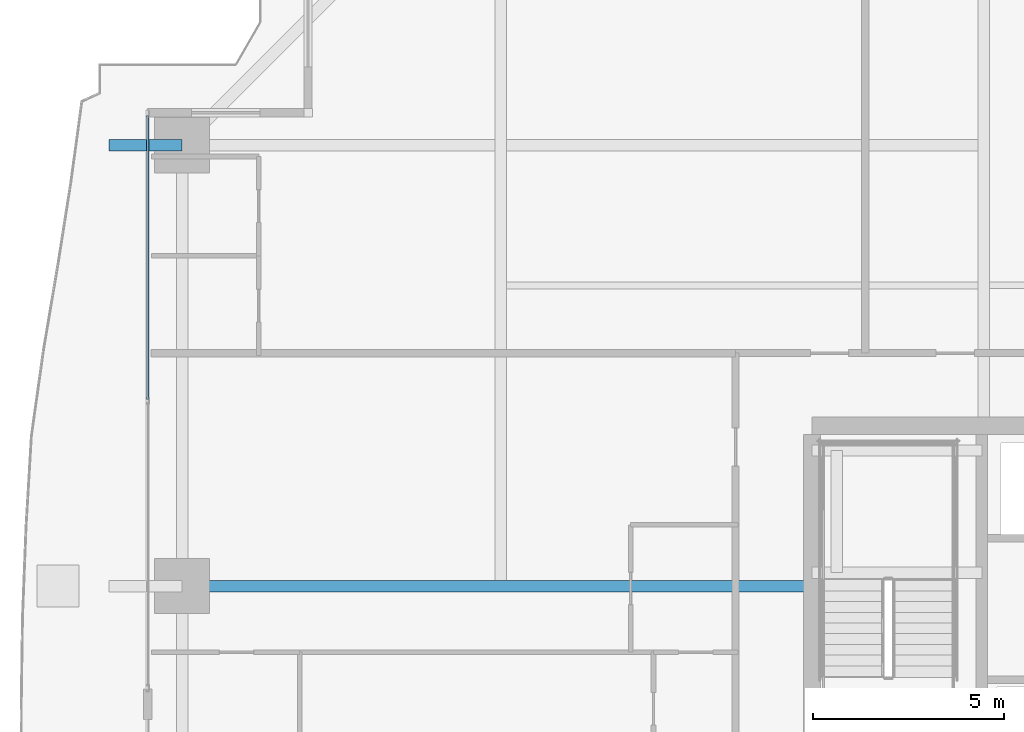
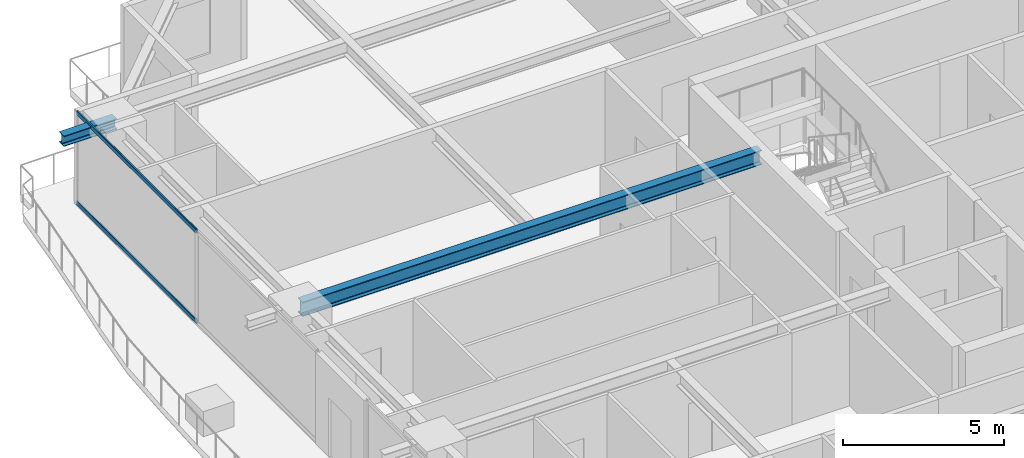
# One storey, part 17 of 40: 2 beams, 2 members, 1 element without a shape of its own.
"""IFC4 building model written with IfcOpenShell, lengths in metres."""

import ifcopenshell
import ifcopenshell.guid

model = None  # the IFC model being written
_history = None  # IfcOwnerHistory: only IFC2X3 demands one
_inside = {}  # id of a spatial element -> (the spatial element, [elements in it])
_under = {}  # id of a project, library or spatial element -> (it, [spatial elements below it])
_declared = {}  # id of a project -> (the project, [libraries it declares])
_typed = {}  # id of a type object -> (the type object, [elements of that type])
_made_of = {}  # id of a material, layer set ... -> (it, [elements and type objects made of it])


def new_model(schema):
    """Start an empty IFC model of exactly this schema.

    Asked for "IFC4X3", IfcOpenShell would pick the latest addendum, in which some entities
    have other attributes; the version numbers below select the first issue.
    IFC2X3 requires an IfcOwnerHistory on every rooted entity: one is made here for all.
    """
    global model, _history
    if schema == "IFC4X3":
        model = ifcopenshell.file(schema_version=(4, 3, 0, 0))
    else:
        model = ifcopenshell.file(schema=schema)
    _inside.clear()
    _under.clear()
    _declared.clear()
    _typed.clear()
    _made_of.clear()
    _history = None
    if model.schema == "IFC2X3":
        org = make("IfcOrganization", Name="unknown")
        user = make(
            "IfcPersonAndOrganization",
            ThePerson=make("IfcPerson", FamilyName="unknown"),
            TheOrganization=org,
        )
        app = make(
            "IfcApplication",
            ApplicationDeveloper=org,
            Version="unknown",
            ApplicationFullName="unknown",
            ApplicationIdentifier="unknown",
        )
        _history = make(
            "IfcOwnerHistory",
            OwningUser=user,
            OwningApplication=app,
            ChangeAction="ADDED",
            CreationDate=0,
        )
    return model


def make(cls, **values):
    """One entity of the class cls with the attributes given. An attribute that is None is left unset."""
    return model.create_entity(
        cls, **{name: value for name, value in values.items() if value is not None}
    )


def rooted(cls, **values):
    """An entity with a GlobalId (a new one), such as an element, a storey or a relation."""
    return make(cls, GlobalId=ifcopenshell.guid.new(), OwnerHistory=_history, **values)


def si_unit(unit_type, name, prefix=None):
    """IfcSIUnit, for example si_unit("LENGTHUNIT", "METRE", prefix="MILLI")."""
    return make("IfcSIUnit", UnitType=unit_type, Prefix=prefix, Name=name)


def assignment(units):
    """IfcUnitAssignment: the units of a project."""
    return None if units is None else make("IfcUnitAssignment", Units=units)


def point(xyz):
    """IfcCartesianPoint."""
    return None if xyz is None else make("IfcCartesianPoint", Coordinates=xyz)


def direction(xyz):
    """IfcDirection."""
    return None if xyz is None else make("IfcDirection", DirectionRatios=xyz)


def frame(location, z_axis=None, x_axis=None):
    """IfcAxis2Placement3D, a coordinate frame: its origin and axes. An axis left out is left unset."""
    return make(
        "IfcAxis2Placement3D",
        Location=point(location),
        Axis=direction(z_axis),
        RefDirection=direction(x_axis),
    )


def frame_2d(location, x_axis=None):
    """IfcAxis2Placement2D, a coordinate frame in the plane: its origin and x axis."""
    return make(
        "IfcAxis2Placement2D", Location=point(location), RefDirection=direction(x_axis)
    )


def origin():
    """The frame at (0, 0, 0) with its axes left unset."""
    return frame((0.0, 0.0, 0.0))


def origin_2d():
    """The frame at (0, 0) in the plane with its x axis left unset."""
    return frame_2d((0.0, 0.0))


def place(relative_to, where):
    """IfcLocalPlacement: puts the frame where relative to a parent placement (None: the world)."""
    return make(
        "IfcLocalPlacement", PlacementRelTo=relative_to, RelativePlacement=where
    )


def context(
    kind, dimensions, precision=None, world=None, true_north=None, identifier=None
):
    """IfcGeometricRepresentationContext, for example the 3D "Model" context."""
    return make(
        "IfcGeometricRepresentationContext",
        ContextIdentifier=identifier,
        ContextType=kind,
        CoordinateSpaceDimension=dimensions,
        Precision=precision,
        WorldCoordinateSystem=world,
        TrueNorth=true_north,
    )


def subcontext(parent, identifier, kind, view, scale=None):
    """IfcGeometricRepresentationSubContext, for example "Body" below "Model"."""
    return make(
        "IfcGeometricRepresentationSubContext",
        ContextIdentifier=identifier,
        ContextType=kind,
        ParentContext=parent,
        TargetScale=scale,
        TargetView=view,
    )


def project(units=None, contexts=None):
    """IfcProject with its units and contexts."""
    return rooted(
        "IfcProject",
        Name="project",
        RepresentationContexts=contexts,
        UnitsInContext=assignment(units),
    )


def spatial(cls, under=None, at=None, **own):
    """A site, building, storey or space (cls), placed at a placement, below another one or the project."""
    s = rooted(cls, ObjectPlacement=at, **own)
    if under is not None:
        _under.setdefault(under.id(), (under, []))[1].append(s)
    return s


def profile(cls, at=None, kind="AREA", **sizes):
    """A parametric profile (cls). Its sizes go by their IFC names, for example OverallWidth=200.0."""
    return make(cls, ProfileType=kind, Position=at, **sizes)


def hollow_rectangle(**sizes):
    """IfcRectangleHollowProfileDef."""
    return profile("IfcRectangleHollowProfileDef", **sizes)


def i_section(**sizes):
    """IfcIShapeProfileDef."""
    return profile("IfcIShapeProfileDef", **sizes)


def extrude(swept, where, along, depth):
    """IfcExtrudedAreaSolid: the profile swept, set in the frame where, extruded along a direction by depth."""
    return make(
        "IfcExtrudedAreaSolid",
        SweptArea=swept,
        Position=where,
        ExtrudedDirection=direction(along),
        Depth=depth,
    )


def shape(context_of_items, identifier, shape_type, items):
    """IfcShapeRepresentation: the items that make up one representation, for example the "Body"."""
    return make(
        "IfcShapeRepresentation",
        ContextOfItems=context_of_items,
        RepresentationIdentifier=identifier,
        RepresentationType=shape_type,
        Items=items,
    )


def source(mapping_origin, context_of_items, identifier, shape_type, items):
    """IfcRepresentationMap: a shape defined once, which mapped items show again and again."""
    return make(
        "IfcRepresentationMap",
        MappingOrigin=mapping_origin,
        MappedRepresentation=shape(context_of_items, identifier, shape_type, items),
    )


def transform(
    local_origin,
    x_axis=None,
    y_axis=None,
    z_axis=None,
    scale=None,
    scale2=None,
    scale3=None,
    uniform=True,
):
    """IfcCartesianTransformationOperator3D, or its non-uniform kind. x_axis, y_axis, z_axis: its Axis1, 2, 3."""
    if uniform:
        return make(
            "IfcCartesianTransformationOperator3D",
            Axis1=direction(x_axis),
            Axis2=direction(y_axis),
            LocalOrigin=point(local_origin),
            Scale=scale,
            Axis3=direction(z_axis),
        )
    return make(
        "IfcCartesianTransformationOperator3DnonUniform",
        Axis1=direction(x_axis),
        Axis2=direction(y_axis),
        LocalOrigin=point(local_origin),
        Scale=scale,
        Axis3=direction(z_axis),
        Scale2=scale2,
        Scale3=scale3,
    )


def mapped(mapping_source, mapping_target):
    """IfcMappedItem: shows the shape of a source again, moved by a transform."""
    return make(
        "IfcMappedItem", MappingSource=mapping_source, MappingTarget=mapping_target
    )


def material(Name=None, Category=None):
    """IfcMaterial."""
    return make("IfcMaterial", Name=Name, Category=Category)


def layer(
    of_material, thickness, ventilated=None, Name=None, Category=None, Priority=None
):
    """IfcMaterialLayer: one layer of a wall or slab, of a material (None: an air gap)."""
    return make(
        "IfcMaterialLayer",
        Material=of_material,
        LayerThickness=thickness,
        IsVentilated=ventilated,
        Name=Name,
        Category=Category,
        Priority=Priority,
    )


def layer_set(layers, Name=None):
    """IfcMaterialLayerSet."""
    return make("IfcMaterialLayerSet", MaterialLayers=layers, LayerSetName=Name)


def material_profile(
    of_material, cross_section, Name=None, Category=None, Priority=None
):
    """IfcMaterialProfile: a cross section and its material."""
    return make(
        "IfcMaterialProfile",
        Name=Name,
        Material=of_material,
        Profile=cross_section,
        Priority=Priority,
        Category=Category,
    )


def profile_set(profiles, Name=None, composite=None):
    """IfcMaterialProfileSet."""
    return make(
        "IfcMaterialProfileSet",
        Name=Name,
        MaterialProfiles=profiles,
        CompositeProfile=composite,
    )


def made_of(thing, what):
    """Note that an element or type object is made of a material, layer set ...; save() writes the relation."""
    if what is not None:
        _made_of.setdefault(what.id(), (what, []))[1].append(thing)
    return thing


def type_object(cls, material=None, **own):
    """A type object (cls), such as IfcWallType, which elements share."""
    return made_of(rooted(cls, **own), material)


def element(
    cls,
    number,
    at=None,
    inside=None,
    cuts=None,
    type_object=None,
    material=None,
    context=None,
    identifier="Body",
    shape_type=None,
    held_by="IfcProductDefinitionShape",
    body=None,
    shapes=None,
    **own,
):
    """One element of the class cls, such as IfcWall. Its Tag is "e" and its number.

    at: its placement. inside: the storey or other place that contains it. cuts: it is an
    opening in that element (IfcRelVoidsElement). A single representation is given by context,
    identifier, shape_type and body (its items); several are given by shapes. held_by: the class
    of the entity that holds the representations. save() writes the other relations.
    """
    e = rooted(cls, Tag="e%d" % number, ObjectPlacement=at, **own)
    if body is not None:
        shapes = [shape(context, identifier, shape_type, body)]
    if shapes is not None:
        e.Representation = make(held_by, Representations=shapes)
    if inside is not None:
        _inside.setdefault(inside.id(), (inside, []))[1].append(e)
    if cuts is not None:
        rooted(
            "IfcRelVoidsElement", RelatingBuildingElement=cuts, RelatedOpeningElement=e
        )
    if type_object is not None:
        _typed.setdefault(type_object.id(), (type_object, []))[1].append(e)
    return made_of(e, material)


def aggregate(whole, parts):
    """IfcRelAggregates: a whole, such as a stair, and the parts it consists of."""
    return rooted("IfcRelAggregates", RelatingObject=whole, RelatedObjects=parts)


def save(model, path):
    """Write the relations noted so far, then the file.

    IfcRelAggregates (storeys below a building ...), IfcRelContainedInSpatialStructure (elements
    in a storey), IfcRelDefinesByType, IfcRelAssociatesMaterial and IfcRelDeclares: one each for
    every whole, place, type object, material and project.
    """
    for whole, parts in _under.values():
        aggregate(whole, parts)
    for where, things in _inside.values():
        rooted(
            "IfcRelContainedInSpatialStructure",
            RelatedElements=things,
            RelatingStructure=where,
        )
    for kind, things in _typed.values():
        rooted("IfcRelDefinesByType", RelatedObjects=things, RelatingType=kind)
    for what, things in _made_of.values():
        rooted("IfcRelAssociatesMaterial", RelatedObjects=things, RelatingMaterial=what)
    for by, libraries in _declared.values():
        rooted("IfcRelDeclares", RelatingContext=by, RelatedDefinitions=libraries)
    model.write(path)


model = new_model("IFC4")

# Units and contexts
model_context = context("Model", 3, precision=1e-05, world=origin(), true_north=direction((0.0, 1.0)))
body_context = subcontext(model_context, "Body", "Model", "MODEL_VIEW")
ifc_project = project(units=[si_unit("LENGTHUNIT", "METRE"), si_unit("AREAUNIT", "SQUARE_METRE"), si_unit("VOLUMEUNIT", "CUBIC_METRE"), si_unit("PLANEANGLEUNIT", "RADIAN"), si_unit("MASSUNIT", "GRAM", prefix="KILO")], contexts=[model_context])

# Site, building, storey
site_placement = place(None, origin())
site = spatial("IfcSite", under=ifc_project, at=site_placement, CompositionType="ELEMENT")
building_placement = place(site_placement, origin())
building = spatial("IfcBuilding", under=site, at=building_placement, Name="Serunith Strait Residences", CompositionType="ELEMENT")
storey_placement = place(building_placement, frame((0.0, 0.0, 90.449951171875)))
storey = spatial("IfcBuildingStorey", under=building, at=storey_placement, Name="L22", CompositionType="ELEMENT", Elevation=90.449951171875)

# Beams
ifc_material_1 = material(Name="Steel S355J2", Category="steel")
ifc_material_profile_1 = material_profile(ifc_material_1, i_section(OverallWidth=0.300048828125, OverallDepth=0.550048828125, WebThickness=0.014892578125, FlangeThickness=0.029052734375, FilletRadius=0.027099609375, at=origin_2d()), Name="HEB 550")
ifc_profile_set_1 = profile_set([ifc_material_profile_1], Name="Steel S355J2")
beam_type_1 = type_object("IfcBeamType", Name="BM-HEB550", PredefinedType="BEAM", material=ifc_profile_set_1)
shared_shape_1 = source(origin(), body_context, "Body", "SweptSolid", [
    extrude(i_section(OverallWidth=0.300048828125, OverallDepth=0.550048828125, WebThickness=0.014892578125, FlangeThickness=0.029052734375, FilletRadius=0.027099609375, at=origin_2d()), origin(), (0.0, 0.0, 1.0), 16.5),
])
beam_1_placement = place(storey_placement, frame((23.39990234375, 29.39990234375, 3.212158203125), z_axis=(-1.0, 0.0, 0.0), x_axis=(0.0, -1.0, 0.0)))
element("IfcBeam", 1, at=beam_1_placement, inside=storey, type_object=beam_type_1, Name="L22 Primary Floor Girder TC-W3", PredefinedType="BEAM", context=body_context, shape_type="MappedRepresentation", body=[
    mapped(shared_shape_1, transform((0.0, 0.0, 0.0), scale=1.0)),
])
ifc_material_profile_2 = material_profile(ifc_material_1, i_section(OverallWidth=0.300048828125, OverallDepth=0.39990234375, WebThickness=0.013427734375, FlangeThickness=0.02392578125, FilletRadius=0.027099609375, at=origin_2d()), Name="HEB 400")
ifc_profile_set_2 = profile_set([ifc_material_profile_2], Name="Steel S355J2")
beam_type_2 = type_object("IfcBeamType", Name="BM-HEB400", PredefinedType="BEAM", material=ifc_profile_set_2)
shared_shape_2 = source(origin(), body_context, "Body", "SweptSolid", [
    extrude(i_section(OverallWidth=0.300048828125, OverallDepth=0.39990234375, WebThickness=0.013427734375, FlangeThickness=0.02392578125, FilletRadius=0.027099609375, at=origin_2d()), origin(), (0.0, 0.0, 1.0), 1.909912109375),
])
beam_2_placement = place(storey_placement, frame((6.89990234375, 40.949951171875, 3.257080078125), z_axis=(-1.0, 0.0, 0.0), x_axis=(0.0, -1.0, 0.0)))
element("IfcBeam", 2, at=beam_2_placement, inside=storey, type_object=beam_type_2, Name="L23 Cantilevered Balcony Rib TC-W4", PredefinedType="BEAM", context=body_context, shape_type="MappedRepresentation", body=[
    mapped(shared_shape_2, transform((0.0, 0.0, 0.0), scale=1.0)),
])

# Curtain wall, members
ifc_material_2 = material(Name="Pale-Champagne Anodised Aluminium", Category="aluminium")
ifc_layer = layer(ifc_material_2, 0.199951171875, Name="Pale-Champagne Anodised Aluminium")
ifc_layer_set = layer_set([ifc_layer], Name="Pale-Champagne Anodised Aluminium")
curtain_wall_type = type_object("IfcCurtainWallType", Name="CW-SYS1", PredefinedType="NOTDEFINED", material=ifc_layer_set)
curtain_wall_placement = place(storey_placement, origin())
curtain_wall = element("IfcCurtainWall", 3, at=curtain_wall_placement, inside=storey, type_object=curtain_wall_type, Name="L22 W Unitised Fritted Curtain Wall", PredefinedType="NOTDEFINED")
ifc_material_profile_3 = material_profile(ifc_material_2, hollow_rectangle(XDim=0.06005859375, YDim=0.159912109375, WallThickness=0.00341796875, InnerFilletRadius=0.00537109375, OuterFilletRadius=0.0087890625, at=origin_2d()), Name="ALU 160x60x3.5")
ifc_profile_set_3 = profile_set([ifc_material_profile_3], Name="Pale-Champagne Anodised Aluminium")
member_type = type_object("IfcMemberType", Name="CW-SYS1-TRAN", PredefinedType="USERDEFINED", material=ifc_profile_set_3)
shared_shape_3 = source(origin(), body_context, "Body", "SweptSolid", [
    extrude(hollow_rectangle(XDim=0.06005859375, YDim=0.159912109375, WallThickness=0.00341796875, InnerFilletRadius=0.00537109375, OuterFilletRadius=0.0087890625, at=origin_2d()), origin(), (0.0, 0.0, 1.0), 7.445068359375),
])
member_1_placement = place(storey_placement, frame((6.0, 41.72998046875, 0.030029296875), z_axis=(0.0, -1.0, 0.0), x_axis=(1.0, 0.0, 0.0)))
member_1 = element("IfcMember", 4, at=member_1_placement, type_object=member_type, Name="CW-1 transom 1.1", ObjectType="TRANSOM", PredefinedType="USERDEFINED", context=body_context, shape_type="MappedRepresentation", body=[
    mapped(shared_shape_3, transform((0.0, 0.0, 0.0), scale=1.0)),
])
member_2_placement = place(storey_placement, frame((6.0, 41.72998046875, 3.445068359375), z_axis=(0.0, -1.0, 0.0), x_axis=(1.0, 0.0, 0.0)))
member_2 = element("IfcMember", 5, at=member_2_placement, type_object=member_type, Name="CW-1 transom 1.2", ObjectType="TRANSOM", PredefinedType="USERDEFINED", context=body_context, shape_type="MappedRepresentation", body=[
    mapped(shared_shape_3, transform((0.0, 0.0, 0.0), scale=1.0)),
])
aggregate(curtain_wall, [member_1, member_2])

save(model, "model.ifc")
